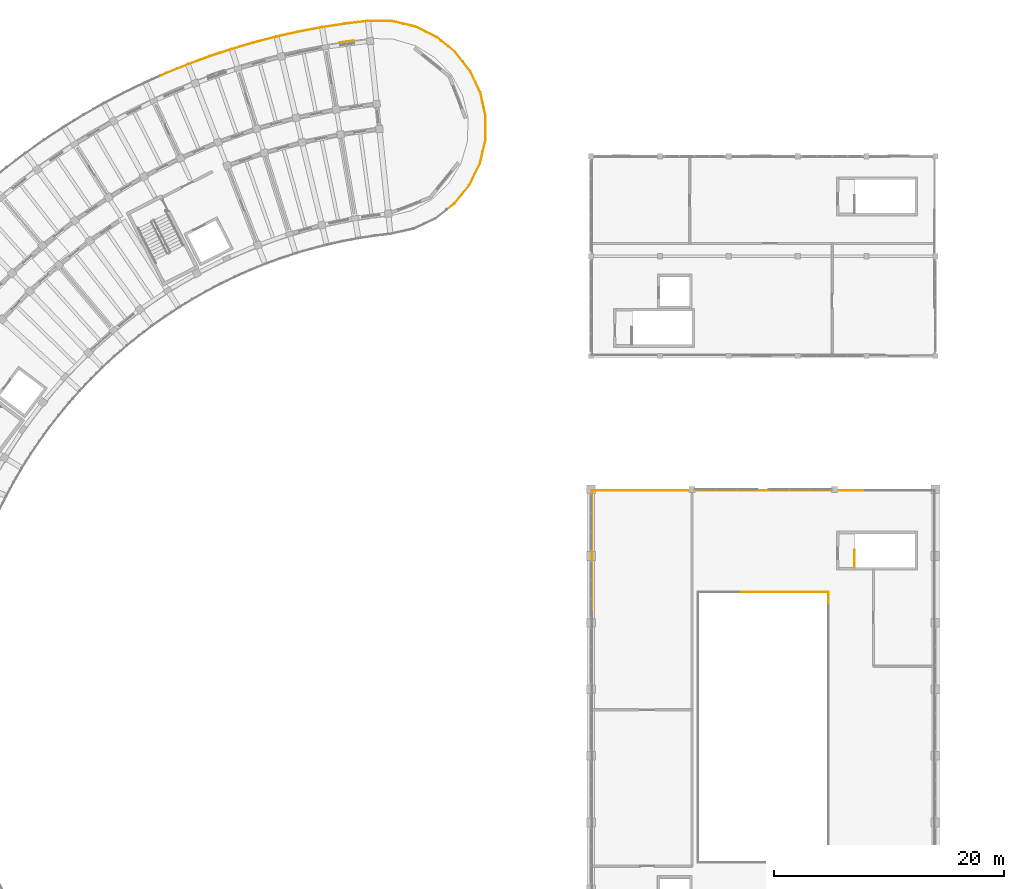
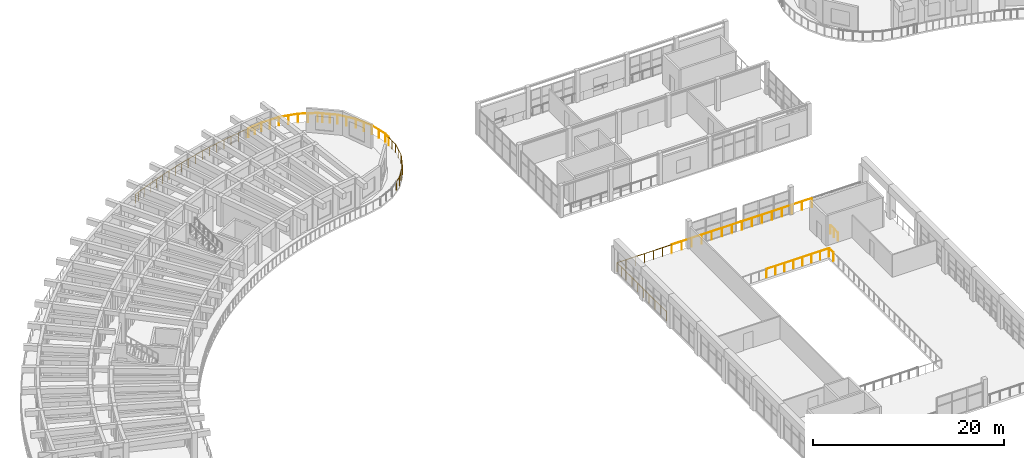
# One storey, part 117 of 128: 11 railings, 1 shading device.
"""IFC4 building model written with IfcOpenShell, lengths in metres."""

from ifc_helpers import new_model, si_unit, direction, frame, origin, origin_2d, place, context, subcontext, project, spatial, rectangle, circle, extrude, material, layer, layer_set, type_object, element, save


model = new_model("IFC4")

# Units and contexts
model_context = context("Model", 3, precision=1e-05, world=origin(), true_north=direction((0.0, 1.0)))
body_context = subcontext(model_context, "Body", "Model", "MODEL_VIEW")
ifc_project = project(units=[si_unit("LENGTHUNIT", "METRE"), si_unit("AREAUNIT", "SQUARE_METRE"), si_unit("VOLUMEUNIT", "CUBIC_METRE"), si_unit("PLANEANGLEUNIT", "RADIAN"), si_unit("MASSUNIT", "GRAM", prefix="KILO")], contexts=[model_context])

# Site, building, storey
site_placement = place(None, origin())
site = spatial("IfcSite", under=ifc_project, at=site_placement, CompositionType="ELEMENT")
building_placement = place(site_placement, origin())
building = spatial("IfcBuilding", under=site, at=building_placement, Name="Tanwirah Colonnade Gardens", CompositionType="ELEMENT")
storey_placement = place(building_placement, frame((0.0, 0.0, 4.760009765625)))
storey = spatial("IfcBuildingStorey", under=building, at=storey_placement, Name="L01", CompositionType="ELEMENT", Elevation=4.760009765625)

# Railings
ifc_material_1 = material(Name="Precast concrete C40/50", Category="concrete")
railing_type_1 = type_object("IfcRailingType", Name="BAL-EXT112", PredefinedType="BALUSTRADE", material=ifc_material_1)
railing_1_placement = place(storey_placement, frame((40.5517578125, 116.428466796875, 0.0)))
element("IfcRailing", 1, at=railing_1_placement, inside=storey, type_object=railing_type_1, Name="Block A L01 Balcony Ribbon Balustrade 17", PredefinedType="BALUSTRADE", context=body_context, shape_type="SweptSolid", body=[
    extrude(circle(Radius=0.02392578125, at=origin_2d()), frame((0.028564453125, 0.0126953125, 1.09619140625), z_axis=(0.914037447664, 0.405629811857, 0.0), x_axis=(-0.405629811857, 0.914037447664, 0.0)), (0.0, 0.0, 1.0), 0.471923828125),
    extrude(circle(Radius=0.02392578125, at=origin_2d()), frame((0.517578125, 0.228515625, 1.09619140625), z_axis=(0.926784720453, 0.375592973757, 0.0), x_axis=(-0.375592973757, 0.926784720453, 0.0)), (0.0, 0.0, 1.0), 1.958984375),
    extrude(circle(Radius=0.02392578125, at=origin_2d()), frame((2.391357421875, 0.98681640625, 1.09619140625), z_axis=(0.938723993457, 0.344669789956, 0.0), x_axis=(-0.344669789956, 0.938723993457, 0.0)), (0.0, 0.0, 1.0), 1.958984375),
    extrude(circle(Radius=0.02392578125, at=origin_2d()), frame((4.28955078125, 1.6826171875, 1.09619140625), z_axis=(0.949537316482, 0.313654084317, 0.0), x_axis=(-0.313654084317, 0.949537316482, 0.0)), (0.0, 0.0, 1.0), 1.958984375),
    extrude(circle(Radius=0.02392578125, at=origin_2d()), frame((6.209228515625, 2.315673828125, 1.09619140625), z_axis=(0.9593675466, 0.282159370801, 0.0), x_axis=(-0.282159370801, 0.9593675466, 0.0)), (0.0, 0.0, 1.0), 1.83837890625),
    extrude(circle(Radius=0.02099609375, at=origin_2d()), origin(), (0.0, 0.0, 1.0), 1.069091796875),
    extrude(circle(Radius=0.02099609375, at=origin_2d()), frame((0.488525390625, 0.216796875, 0.0)), (0.0, 0.0, 1.0), 1.069091796875),
    extrude(circle(Radius=0.02099609375, at=origin_2d()), frame((1.42529296875, 0.596435546875, 0.0)), (0.0, 0.0, 1.0), 1.069091796875),
    extrude(circle(Radius=0.02099609375, at=origin_2d()), frame((2.362060546875, 0.97607421875, 0.0)), (0.0, 0.0, 1.0), 1.069091796875),
    extrude(circle(Radius=0.02099609375, at=origin_2d()), frame((3.31103515625, 1.324462890625, 0.0)), (0.0, 0.0, 1.0), 1.069091796875),
    extrude(circle(Radius=0.02099609375, at=origin_2d()), frame((4.259765625, 1.6728515625, 0.0)), (0.0, 0.0, 1.0), 1.069091796875),
    extrude(circle(Radius=0.02099609375, at=origin_2d()), frame((5.219482421875, 1.98974609375, 0.0)), (0.0, 0.0, 1.0), 1.069091796875),
    extrude(circle(Radius=0.02099609375, at=origin_2d()), frame((6.17919921875, 2.306884765625, 0.0)), (0.0, 0.0, 1.0), 1.069091796875),
    extrude(circle(Radius=0.02099609375, at=origin_2d()), frame((7.091064453125, 2.5751953125, 0.0)), (0.0, 0.0, 1.0), 1.069091796875),
    extrude(circle(Radius=0.02099609375, at=origin_2d()), frame((8.0029296875, 2.84326171875, 0.0)), (0.0, 0.0, 1.0), 1.069091796875),
])
railing_2_placement = place(storey_placement, frame((48.5546875, 119.271728515625, 0.0)))
element("IfcRailing", 2, at=railing_2_placement, inside=storey, type_object=railing_type_1, Name="Block A L01 Balcony Ribbon Balustrade 18", PredefinedType="BALUSTRADE", context=body_context, shape_type="SweptSolid", body=[
    extrude(circle(Radius=0.02392578125, at=origin_2d()), frame((0.030029296875, 0.0087890625, 1.09619140625), z_axis=(0.959430074946, 0.281946681644, 0.0), x_axis=(-0.281946681644, 0.959430074946, 0.0)), (0.0, 0.0, 1.0), 0.057861328125),
    extrude(circle(Radius=0.02392578125, at=origin_2d()), frame((0.145751953125, 0.041748046875, 1.09619140625), z_axis=(0.968157509899, 0.250341838346, 0.0), x_axis=(-0.250341838346, 0.968157509899, 0.0)), (0.0, 0.0, 1.0), 1.959228515625),
    extrude(circle(Radius=0.02392578125, at=origin_2d()), frame((2.103271484375, 0.546875, 1.09619140625), z_axis=(0.975867729966, 0.218362482151, 0.0), x_axis=(-0.218362482151, 0.975867729966, 0.0)), (0.0, 0.0, 1.0), 1.958984375),
    extrude(circle(Radius=0.02392578125, at=origin_2d()), frame((4.076171875, 0.9873046875, 1.09619140625), z_axis=(0.982549371225, 0.186001970705, 0.0), x_axis=(-0.186001970705, 0.982549371225, 0.0)), (0.0, 0.0, 1.0), 1.958740234375),
    extrude(circle(Radius=0.02392578125, at=origin_2d()), frame((6.0625, 1.3623046875, 1.09619140625), z_axis=(0.988130323653, 0.153617913919, 0.0), x_axis=(-0.153617913919, 0.988130323653, 0.0)), (0.0, 0.0, 1.0), 1.958984375),
    extrude(circle(Radius=0.02392578125, at=origin_2d()), frame((8.06005859375, 1.671630859375, 1.09619140625), z_axis=(0.992706670136, 0.120554830125, 0.0), x_axis=(-0.120554830125, 0.992706670136, 0.0)), (0.0, 0.0, 1.0), 0.231201171875),
    extrude(circle(Radius=0.02099609375, at=origin_2d()), origin(), (0.0, 0.0, 1.0), 1.069091796875),
    extrude(circle(Radius=0.02099609375, at=origin_2d()), frame((0.115478515625, 0.033935546875, 0.0)), (0.0, 0.0, 1.0), 1.069091796875),
    extrude(circle(Radius=0.02099609375, at=origin_2d()), frame((1.09423828125, 0.287109375, 0.0)), (0.0, 0.0, 1.0), 1.069091796875),
    extrude(circle(Radius=0.02099609375, at=origin_2d()), frame((2.07275390625, 0.5400390625, 0.0)), (0.0, 0.0, 1.0), 1.069091796875),
    extrude(circle(Radius=0.02099609375, at=origin_2d()), frame((3.05908203125, 0.7607421875, 0.0)), (0.0, 0.0, 1.0), 1.069091796875),
    extrude(circle(Radius=0.02099609375, at=origin_2d()), frame((4.04541015625, 0.9814453125, 0.0)), (0.0, 0.0, 1.0), 1.069091796875),
    extrude(circle(Radius=0.02099609375, at=origin_2d()), frame((5.03857421875, 1.16943359375, 0.0)), (0.0, 0.0, 1.0), 1.069091796875),
    extrude(circle(Radius=0.02099609375, at=origin_2d()), frame((6.031494140625, 1.357421875, 0.0)), (0.0, 0.0, 1.0), 1.069091796875),
    extrude(circle(Radius=0.02099609375, at=origin_2d()), frame((7.0302734375, 1.5126953125, 0.0)), (0.0, 0.0, 1.0), 1.069091796875),
    extrude(circle(Radius=0.02099609375, at=origin_2d()), frame((8.029052734375, 1.66796875, 0.0)), (0.0, 0.0, 1.0), 1.069091796875),
    extrude(circle(Radius=0.02099609375, at=origin_2d()), frame((8.320556640625, 1.703369140625, 0.0)), (0.0, 0.0, 1.0), 1.069091796875),
])
railing_3_placement = place(storey_placement, frame((56.875244140625, 120.97509765625, 0.0)))
element("IfcRailing", 3, at=railing_3_placement, inside=storey, type_object=railing_type_1, Name="Block A L01 Balcony Ribbon Balustrade 19", PredefinedType="BALUSTRADE", context=body_context, shape_type="SweptSolid", body=[
    extrude(circle(Radius=0.02392578125, at=origin_2d()), frame((0.031005859375, 0.003662109375, 1.09619140625), z_axis=(0.992658739514, 0.120948860543, 0.0), x_axis=(-0.120948860543, 0.992658739514, 0.0)), (0.0, 0.0, 1.0), 1.661376953125),
    extrude(circle(Radius=0.02392578125, at=origin_2d()), frame((1.742431640625, 0.208251953125, 1.09619140625), z_axis=(0.999972077233, -0.00747293472, 0.0), x_axis=(0.00747293472, 0.999972077233, 0.0)), (0.0, 0.0, 1.0), 2.0283203125),
    extrude(circle(Radius=0.02392578125, at=origin_2d()), frame((3.83251953125, 0.185791015625, 1.09619140625), z_axis=(0.973245052386, -0.229769597654, 0.0), x_axis=(0.229769597654, 0.973245052386, 0.0)), (0.0, 0.0, 1.0), 2.0244140625),
    extrude(circle(Radius=0.02392578125, at=origin_2d()), frame((5.861083984375, -0.30029296875, 1.09619140625), z_axis=(0.89767854763, -0.440650910727, 0.0), x_axis=(0.440650910727, 0.89767854763, 0.0)), (0.0, 0.0, 1.0), 2.024658203125),
    extrude(circle(Radius=0.02392578125, at=origin_2d()), frame((7.73095703125, -1.22607421875, 1.09619140625), z_axis=(0.777222634712, -0.62922569567, 0.0), x_axis=(0.62922569567, 0.777222634712, 0.0)), (0.0, 0.0, 1.0), 0.448974609375),
    extrude(circle(Radius=0.02099609375, at=origin_2d()), origin(), (0.0, 0.0, 1.0), 1.069091796875),
    extrude(circle(Radius=0.02099609375, at=origin_2d()), frame((0.85546875, 0.104248046875, 0.0)), (0.0, 0.0, 1.0), 1.069091796875),
    extrude(circle(Radius=0.02099609375, at=origin_2d()), frame((1.711181640625, 0.20849609375, 0.0)), (0.0, 0.0, 1.0), 1.069091796875),
    extrude(circle(Radius=0.02099609375, at=origin_2d()), frame((2.756591796875, 0.20068359375, 0.0)), (0.0, 0.0, 1.0), 1.069091796875),
    extrude(circle(Radius=0.02099609375, at=origin_2d()), frame((3.802001953125, 0.19287109375, 0.0)), (0.0, 0.0, 1.0), 1.069091796875),
    extrude(circle(Radius=0.02099609375, at=origin_2d()), frame((4.8173828125, -0.046875, 0.0)), (0.0, 0.0, 1.0), 1.069091796875),
    extrude(circle(Radius=0.02099609375, at=origin_2d()), frame((5.8330078125, -0.28662109375, 0.0)), (0.0, 0.0, 1.0), 1.069091796875),
    extrude(circle(Radius=0.02099609375, at=origin_2d()), frame((6.769775390625, -0.74658203125, 0.0)), (0.0, 0.0, 1.0), 1.069091796875),
    extrude(circle(Radius=0.02099609375, at=origin_2d()), frame((7.70654296875, -1.206298828125, 0.0)), (0.0, 0.0, 1.0), 1.069091796875),
    extrude(circle(Radius=0.02099609375, at=origin_2d()), frame((8.10400390625, -1.528076171875, 0.0)), (0.0, 0.0, 1.0), 1.069091796875),
])
railing_4_placement = place(storey_placement, frame((64.979248046875, 119.447021484375, 0.0)))
element("IfcRailing", 4, at=railing_4_placement, inside=storey, type_object=railing_type_1, Name="Block A L01 Balcony Ribbon Balustrade 20", PredefinedType="BALUSTRADE", context=body_context, shape_type="SweptSolid", body=[
    extrude(circle(Radius=0.02392578125, at=origin_2d()), frame((0.0244140625, -0.019775390625, 1.09619140625), z_axis=(0.777151033754, -0.629314127233, 0.0), x_axis=(0.629314127233, 0.777151033754, 0.0)), (0.0, 0.0, 1.0), 1.512939453125),
    extrude(circle(Radius=0.02392578125, at=origin_2d()), frame((1.24365234375, -1.01611328125, 1.09619140625), z_axis=(0.617578689713, -0.786509098493, 0.0), x_axis=(0.786509098493, 0.617578689713, 0.0)), (0.0, 0.0, 1.0), 2.0244140625),
    extrude(circle(Radius=0.02392578125, at=origin_2d()), frame((2.526611328125, -2.6611328125, 1.09619140625), z_axis=(0.427120558346, -0.904194685142, 0.0), x_axis=(0.904194685142, 0.427120558346, 0.0)), (0.0, 0.0, 1.0), 2.0244140625),
    extrude(circle(Radius=0.02392578125, at=origin_2d()), frame((3.411376953125, -4.55029296875, 1.09619140625), z_axis=(0.215270196259, -0.97655452618, 0.0), x_axis=(0.97655452618, 0.215270196259, 0.0)), (0.0, 0.0, 1.0), 2.024169921875),
    extrude(circle(Radius=0.02392578125, at=origin_2d()), frame((3.853515625, -6.5888671875, 1.09619140625), z_axis=(-0.007720358143, -0.999970197591, 0.0), x_axis=(0.999970197591, -0.007720358143, 0.0)), (0.0, 0.0, 1.0), 0.6015625),
    extrude(circle(Radius=0.02099609375, at=origin_2d()), origin(), (0.0, 0.0, 1.0), 1.069091796875),
    extrude(circle(Radius=0.02099609375, at=origin_2d()), frame((0.6123046875, -0.49560546875, 0.0)), (0.0, 0.0, 1.0), 1.069091796875),
    extrude(circle(Radius=0.02099609375, at=origin_2d()), frame((1.224365234375, -0.991455078125, 0.0)), (0.0, 0.0, 1.0), 1.069091796875),
    extrude(circle(Radius=0.02099609375, at=origin_2d()), frame((1.86865234375, -1.81201171875, 0.0)), (0.0, 0.0, 1.0), 1.069091796875),
    extrude(circle(Radius=0.02099609375, at=origin_2d()), frame((2.51318359375, -2.6328125, 0.0)), (0.0, 0.0, 1.0), 1.069091796875),
    extrude(circle(Radius=0.02099609375, at=origin_2d()), frame((2.958984375, -3.576171875, 0.0)), (0.0, 0.0, 1.0), 1.069091796875),
    extrude(circle(Radius=0.02099609375, at=origin_2d()), frame((3.404541015625, -4.519775390625, 0.0)), (0.0, 0.0, 1.0), 1.069091796875),
    extrude(circle(Radius=0.02099609375, at=origin_2d()), frame((3.629150390625, -5.53857421875, 0.0)), (0.0, 0.0, 1.0), 1.069091796875),
    extrude(circle(Radius=0.02099609375, at=origin_2d()), frame((3.853759765625, -6.5576171875, 0.0)), (0.0, 0.0, 1.0), 1.069091796875),
    extrude(circle(Radius=0.02099609375, at=origin_2d()), frame((3.8486328125, -7.2216796875, 0.0)), (0.0, 0.0, 1.0), 1.069091796875),
])
railing_5_placement = place(storey_placement, frame((68.827880859375, 112.225341796875, 0.0)))
element("IfcRailing", 5, at=railing_5_placement, inside=storey, type_object=railing_type_1, Name="Block A L01 Balcony Ribbon Balustrade 21", PredefinedType="BALUSTRADE", context=body_context, shape_type="SweptSolid", body=[
    extrude(circle(Radius=0.02392578125, at=origin_2d()), frame((-0.000244140625, -0.03125, 1.09619140625), z_axis=(-0.007377973514, -0.999972782383, 0.0), x_axis=(0.999972782383, -0.007377973514, 0.0)), (0.0, 0.0, 1.0), 1.3603515625),
    extrude(circle(Radius=0.02392578125, at=origin_2d()), frame((-0.017578125, -1.453369140625, 1.09619140625), z_axis=(-0.229769597654, -0.973245052386, 0.0), x_axis=(0.973245052386, -0.229769597654, 0.0)), (0.0, 0.0, 1.0), 2.0244140625),
    extrude(circle(Radius=0.02392578125, at=origin_2d()), frame((-0.503662109375, -3.48193359375, 1.09619140625), z_axis=(-0.440650910727, -0.89767854763, 0.0), x_axis=(0.89767854763, -0.440650910727, 0.0)), (0.0, 0.0, 1.0), 2.024658203125),
    extrude(circle(Radius=0.02392578125, at=origin_2d()), frame((-1.429443359375, -5.351806640625, 1.09619140625), z_axis=(-0.629292457571, -0.777168580711, 0.0), x_axis=(0.777168580711, -0.629292457571, 0.0)), (0.0, 0.0, 1.0), 2.0244140625),
    extrude(circle(Radius=0.02392578125, at=origin_2d()), frame((-2.74755859375, -6.968505859375, 1.09619140625), z_axis=(-0.786525843464, -0.617557363784, 0.0), x_axis=(0.617557363784, -0.786525843464, 0.0)), (0.0, 0.0, 1.0), 0.75390625),
    extrude(circle(Radius=0.02099609375, at=origin_2d()), origin(), (0.0, 0.0, 1.0), 1.069091796875),
    extrude(circle(Radius=0.02099609375, at=origin_2d()), frame((-0.00537109375, -0.71142578125, 0.0)), (0.0, 0.0, 1.0), 1.069091796875),
    extrude(circle(Radius=0.02099609375, at=origin_2d()), frame((-0.010498046875, -1.4228515625, 0.0)), (0.0, 0.0, 1.0), 1.069091796875),
    extrude(circle(Radius=0.02099609375, at=origin_2d()), frame((-0.250244140625, -2.4384765625, 0.0)), (0.0, 0.0, 1.0), 1.069091796875),
    extrude(circle(Radius=0.02099609375, at=origin_2d()), frame((-0.489990234375, -3.453857421875, 0.0)), (0.0, 0.0, 1.0), 1.069091796875),
    extrude(circle(Radius=0.02099609375, at=origin_2d()), frame((-0.94970703125, -4.390625, 0.0)), (0.0, 0.0, 1.0), 1.069091796875),
    extrude(circle(Radius=0.02099609375, at=origin_2d()), frame((-1.40966796875, -5.327392578125, 0.0)), (0.0, 0.0, 1.0), 1.069091796875),
    extrude(circle(Radius=0.02099609375, at=origin_2d()), frame((-2.06640625, -6.13818359375, 0.0)), (0.0, 0.0, 1.0), 1.069091796875),
    extrude(circle(Radius=0.02099609375, at=origin_2d()), frame((-2.722900390625, -6.94921875, 0.0)), (0.0, 0.0, 1.0), 1.069091796875),
    extrude(circle(Radius=0.02099609375, at=origin_2d()), frame((-3.364990234375, -7.453369140625, 0.0)), (0.0, 0.0, 1.0), 1.069091796875),
])
ifc_material_2 = material(Name="Bronze architectural steel and laminated glass balustrade", Category="steel")
railing_type_2 = type_object("IfcRailingType", Name="BAL-GAL115", PredefinedType="BALUSTRADE", material=ifc_material_2)
railing_6_placement = place(storey_placement, frame((98.679931640625, 70.56005859375, 0.0)))
element("IfcRailing", 6, at=railing_6_placement, inside=storey, type_object=railing_type_2, Name="Community Hall Mezzanine Void Balustrade 5", PredefinedType="BALUSTRADE", context=body_context, shape_type="SweptSolid", body=[
    extrude(circle(Radius=0.02392578125, at=origin_2d()), frame((0.0, 0.03125, 1.1259765625), z_axis=(0.0, 1.0, 0.0), x_axis=(-1.0, 0.0, 0.0)), (0.0, 0.0, 1.0), 0.857421875),
    extrude(circle(Radius=0.02392578125, at=origin_2d()), frame((-0.03125, 0.919921875, 1.1259765625), z_axis=(-1.0, 0.0, 0.0), x_axis=(0.0, -1.0, 0.0)), (0.0, 0.0, 1.0), 7.517333984375),
    extrude(circle(Radius=0.02099609375, at=origin_2d()), origin(), (0.0, 0.0, 1.0), 1.098876953125),
    extrude(circle(Radius=0.02099609375, at=origin_2d()), frame((0.0, 0.919921875, 0.0)), (0.0, 0.0, 1.0), 1.098876953125),
    extrude(circle(Radius=0.02099609375, at=origin_2d()), frame((-1.082763671875, 0.919921875, 0.0)), (0.0, 0.0, 1.0), 1.098876953125),
    extrude(circle(Radius=0.02099609375, at=origin_2d()), frame((-2.165771484375, 0.919921875, 0.0)), (0.0, 0.0, 1.0), 1.098876953125),
    extrude(circle(Radius=0.02099609375, at=origin_2d()), frame((-3.24853515625, 0.919921875, 0.0)), (0.0, 0.0, 1.0), 1.098876953125),
    extrude(circle(Radius=0.02099609375, at=origin_2d()), frame((-4.331298828125, 0.919921875, 0.0)), (0.0, 0.0, 1.0), 1.098876953125),
    extrude(circle(Radius=0.02099609375, at=origin_2d()), frame((-5.4140625, 0.919921875, 0.0)), (0.0, 0.0, 1.0), 1.098876953125),
    extrude(circle(Radius=0.02099609375, at=origin_2d()), frame((-6.4970703125, 0.919921875, 0.0)), (0.0, 0.0, 1.0), 1.098876953125),
    extrude(circle(Radius=0.02099609375, at=origin_2d()), frame((-7.579833984375, 0.919921875, 0.0)), (0.0, 0.0, 1.0), 1.098876953125),
])
for number, where, name in (
    (7, (101.699951171875, 80.320068359375, 0.0), "Community Hall L01 Perimeter Gallery Balustrade 10"),
    (8, (93.199951171875, 80.320068359375, 0.0), "Community Hall L01 Perimeter Gallery Balustrade 11"),
):
    element("IfcRailing", number, at=place(storey_placement, frame(where)), inside=storey, type_object=railing_type_2, Name=name, PredefinedType="BALUSTRADE", context=body_context, shape_type="SweptSolid", body=[
        extrude(circle(Radius=0.02392578125, at=origin_2d()), frame((-0.03125, 0.0, 1.1259765625), z_axis=(-1.0, 0.0, 0.0), x_axis=(0.0, -1.0, 0.0)), (0.0, 0.0, 1.0), 8.4375),
        extrude(circle(Radius=0.02099609375, at=origin_2d()), origin(), (0.0, 0.0, 1.0), 1.098876953125),
        extrude(circle(Radius=0.02099609375, at=origin_2d()), frame((-1.21435546875, 0.0, 0.0)), (0.0, 0.0, 1.0), 1.098876953125),
        extrude(circle(Radius=0.02099609375, at=origin_2d()), frame((-2.428466796875, 0.0, 0.0)), (0.0, 0.0, 1.0), 1.098876953125),
        extrude(circle(Radius=0.02099609375, at=origin_2d()), frame((-3.642822265625, 0.0, 0.0)), (0.0, 0.0, 1.0), 1.098876953125),
        extrude(circle(Radius=0.02099609375, at=origin_2d()), frame((-4.857177734375, 0.0, 0.0)), (0.0, 0.0, 1.0), 1.098876953125),
        extrude(circle(Radius=0.02099609375, at=origin_2d()), frame((-6.071533203125, 0.0, 0.0)), (0.0, 0.0, 1.0), 1.098876953125),
        extrude(circle(Radius=0.02099609375, at=origin_2d()), frame((-7.28564453125, 0.0, 0.0)), (0.0, 0.0, 1.0), 1.098876953125),
        extrude(circle(Radius=0.02099609375, at=origin_2d()), frame((-8.5, 0.0, 0.0)), (0.0, 0.0, 1.0), 1.098876953125),
    ])
railing_7_placement = place(storey_placement, frame((84.699951171875, 80.320068359375, 0.0)))
element("IfcRailing", 9, at=railing_7_placement, inside=storey, type_object=railing_type_2, Name="Community Hall L01 Perimeter Gallery Balustrade 12", PredefinedType="BALUSTRADE", context=body_context, shape_type="SweptSolid", body=[
    extrude(circle(Radius=0.02392578125, at=origin_2d()), frame((-0.03125, 0.0, 1.1259765625), z_axis=(-1.0, 0.0, 0.0), x_axis=(0.0, -1.0, 0.0)), (0.0, 0.0, 1.0), 6.557373046875),
    extrude(circle(Radius=0.02392578125, at=origin_2d()), frame((-6.619873046875, -0.03125, 1.1259765625), z_axis=(0.0, -1.0, 0.0), x_axis=(1.0, 0.0, 0.0)), (0.0, 0.0, 1.0), 1.817626953125),
    extrude(circle(Radius=0.02099609375, at=origin_2d()), origin(), (0.0, 0.0, 1.0), 1.098876953125),
    extrude(circle(Radius=0.02099609375, at=origin_2d()), frame((-1.103271484375, 0.0, 0.0)), (0.0, 0.0, 1.0), 1.098876953125),
    extrude(circle(Radius=0.02099609375, at=origin_2d()), frame((-2.20654296875, 0.0, 0.0)), (0.0, 0.0, 1.0), 1.098876953125),
    extrude(circle(Radius=0.02099609375, at=origin_2d()), frame((-3.31005859375, 0.0, 0.0)), (0.0, 0.0, 1.0), 1.098876953125),
    extrude(circle(Radius=0.02099609375, at=origin_2d()), frame((-4.413330078125, 0.0, 0.0)), (0.0, 0.0, 1.0), 1.098876953125),
    extrude(circle(Radius=0.02099609375, at=origin_2d()), frame((-5.5166015625, 0.0, 0.0)), (0.0, 0.0, 1.0), 1.098876953125),
    extrude(circle(Radius=0.02099609375, at=origin_2d()), frame((-6.619873046875, 0.0, 0.0)), (0.0, 0.0, 1.0), 1.098876953125),
    extrude(circle(Radius=0.02099609375, at=origin_2d()), frame((-6.619873046875, -0.93994140625, 0.0)), (0.0, 0.0, 1.0), 1.098876953125),
    extrude(circle(Radius=0.02099609375, at=origin_2d()), frame((-6.619873046875, -1.880126953125, 0.0)), (0.0, 0.0, 1.0), 1.098876953125),
])
railing_8_placement = place(storey_placement, frame((78.080078125, 78.43994140625, 0.0)))
element("IfcRailing", 10, at=railing_8_placement, inside=storey, type_object=railing_type_2, Name="Community Hall L01 Perimeter Gallery Balustrade 13", PredefinedType="BALUSTRADE", context=body_context, shape_type="SweptSolid", body=[
    extrude(circle(Radius=0.02392578125, at=origin_2d()), frame((0.0, -0.03125, 1.1259765625), z_axis=(0.0, -1.0, 0.0), x_axis=(1.0, 0.0, 0.0)), (0.0, 0.0, 1.0), 8.4375),
    extrude(circle(Radius=0.02099609375, at=origin_2d()), origin(), (0.0, 0.0, 1.0), 1.098876953125),
    extrude(circle(Radius=0.02099609375, at=origin_2d()), frame((0.0, -1.21435546875, 0.0)), (0.0, 0.0, 1.0), 1.098876953125),
    extrude(circle(Radius=0.02099609375, at=origin_2d()), frame((0.0, -2.428466796875, 0.0)), (0.0, 0.0, 1.0), 1.098876953125),
    extrude(circle(Radius=0.02099609375, at=origin_2d()), frame((0.0, -3.642822265625, 0.0)), (0.0, 0.0, 1.0), 1.098876953125),
    extrude(circle(Radius=0.02099609375, at=origin_2d()), frame((0.0, -4.857177734375, 0.0)), (0.0, 0.0, 1.0), 1.098876953125),
    extrude(circle(Radius=0.02099609375, at=origin_2d()), frame((0.0, -6.071533203125, 0.0)), (0.0, 0.0, 1.0), 1.098876953125),
    extrude(circle(Radius=0.02099609375, at=origin_2d()), frame((0.0, -7.28564453125, 0.0)), (0.0, 0.0, 1.0), 1.098876953125),
    extrude(circle(Radius=0.02099609375, at=origin_2d()), frame((0.0, -8.5, 0.0)), (0.0, 0.0, 1.0), 1.098876953125),
])
ifc_material_3 = material(Name="Powder-coated galvanized steel", Category="steel")
railing_type_3 = type_object("IfcRailingType", Name="GRD-ST110", PredefinedType="GUARDRAIL", material=ifc_material_3)
railing_9_placement = place(storey_placement, frame((100.949951171875, 73.60009765625, 0.0)))
element("IfcRailing", 11, at=railing_9_placement, inside=storey, type_object=railing_type_3, Name="L01 ST-H2 top well guard 1", PredefinedType="GUARDRAIL", context=body_context, shape_type="SweptSolid", body=[
    extrude(circle(Radius=0.02392578125, at=origin_2d()), frame((0.0, 0.03125, 1.076171875), z_axis=(0.0, 1.0, 0.0), x_axis=(-1.0, 0.0, 0.0)), (0.0, 0.0, 1.0), 1.477294921875),
    extrude(circle(Radius=0.02099609375, at=origin_2d()), origin(), (0.0, 0.0, 1.0), 1.049072265625),
    extrude(circle(Radius=0.02099609375, at=origin_2d()), frame((0.0, 0.77001953125, 0.0)), (0.0, 0.0, 1.0), 1.049072265625),
    extrude(circle(Radius=0.02099609375, at=origin_2d()), frame((0.0, 1.539794921875, 0.0)), (0.0, 0.0, 1.0), 1.049072265625),
])

# Shading device
ifc_material_4 = material(Name="Perforated architectural bronze aluminium", Category="aluminium")
ifc_layer = layer(ifc_material_4, 0.050048828125)
ifc_layer_set = layer_set([ifc_layer], Name="Perforated architectural bronze aluminium")
shading_device_type = type_object("IfcShadingDeviceType", Name="SHD-OVH1", PredefinedType="SHUTTER", material=ifc_layer_set)
shading_device_placement = place(storey_placement, frame((56.75, 119.375244140625, 1.93505859375), z_axis=(0.0, 0.0, 1.0), x_axis=(-0.990535930424, -0.137253672221, 0.0)))
element("IfcShadingDevice", 12, at=shading_device_placement, inside=storey, type_object=shading_device_type, Name="Solar shading louver hood A-L01-00", PredefinedType="SHUTTER", context=body_context, shape_type="SweptSolid", body=[
    extrude(rectangle(XDim=1.199951171875, YDim=0.06005859375, at=origin_2d()), origin(), (0.0, 0.0, 1.0), 0.449951171875),
])

save(model, "model.ifc")
